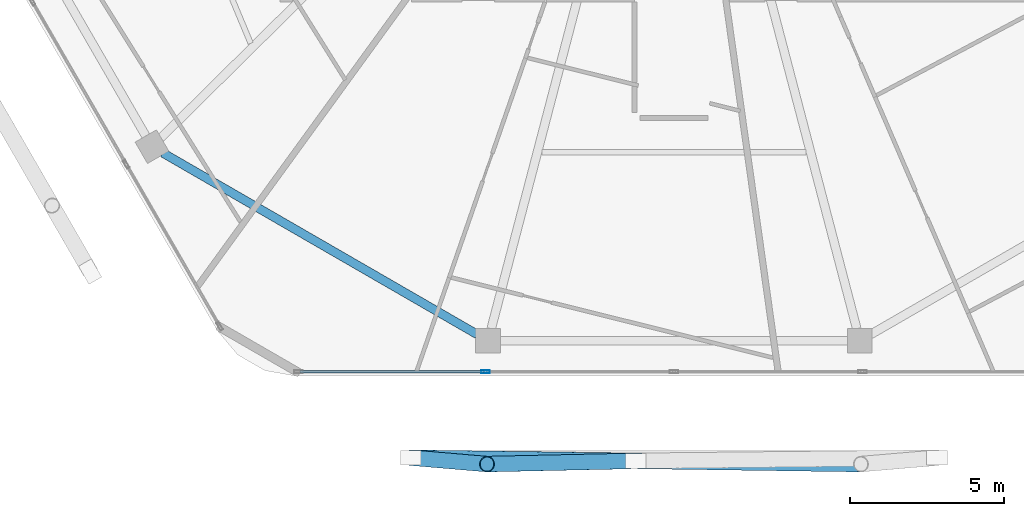
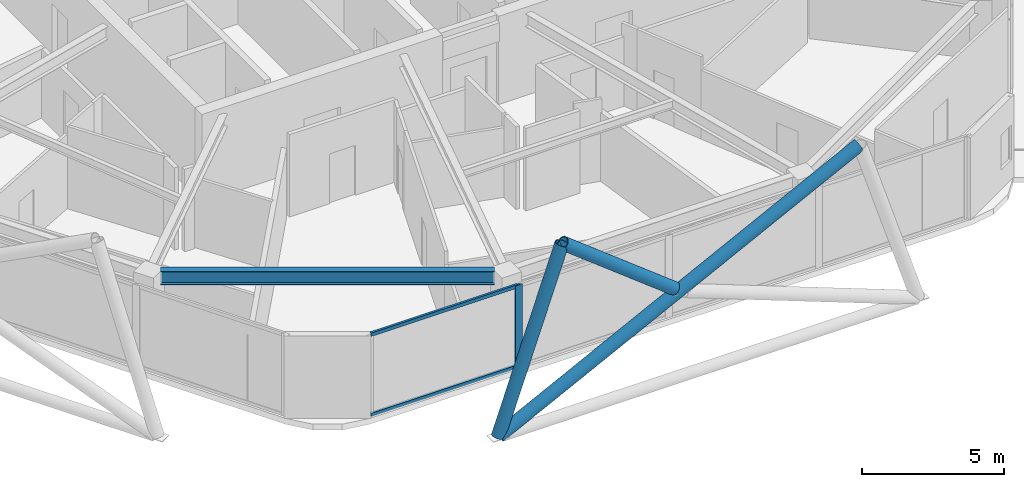
# One storey, part 3 of 23: 6 members, 1 beam, 1 element without a shape of its own.
"""IFC4 building model written with IfcOpenShell, lengths in metres."""

from ifc_helpers import new_model, si_unit, direction, frame, origin, origin_2d, place, context, subcontext, project, spatial, hollow_rectangle, hollow_circle, i_section, extrude, material, material_profile, profile_set, type_object, element, aggregate, save


model = new_model("IFC4")

# Units and contexts
model_context = context("Model", 3, precision=1e-05, world=origin(), true_north=direction((0.0, 1.0)))
body_context = subcontext(model_context, "Body", "Model", "MODEL_VIEW")
ifc_project = project(units=[si_unit("LENGTHUNIT", "METRE"), si_unit("AREAUNIT", "SQUARE_METRE"), si_unit("VOLUMEUNIT", "CUBIC_METRE"), si_unit("PLANEANGLEUNIT", "RADIAN"), si_unit("MASSUNIT", "GRAM", prefix="KILO")], contexts=[model_context])

# Site, building, storey
site_placement = place(None, origin())
site = spatial("IfcSite", under=ifc_project, at=site_placement, CompositionType="ELEMENT")
building_placement = place(site_placement, origin())
building = spatial("IfcBuilding", under=site, at=building_placement, Name="Zuhravey Tower", CompositionType="ELEMENT")
storey_placement = place(building_placement, frame((0.0, 0.0, 315.800048828125)))
storey = spatial("IfcBuildingStorey", under=building, at=storey_placement, Name="L80", CompositionType="ELEMENT", Elevation=315.800048828125)

# Curtain wall, members
ifc_material_1 = material(Name="Thermally broken anodised aluminium", Category="aluminium")
curtain_wall_type = type_object("IfcCurtainWallType", Name="Zone 3-4 High-Rise Curtain Wall CW4", PredefinedType="NOTDEFINED", material=ifc_material_1)
curtain_wall_placement = place(storey_placement, origin())
curtain_wall = element("IfcCurtainWall", 1, at=curtain_wall_placement, inside=storey, type_object=curtain_wall_type, Name="L80 CW4 CW-L80-F5-1", PredefinedType="NOTDEFINED")
ifc_material_2 = material(Name="Anodised aluminium", Category="aluminium")
ifc_material_profile_1 = material_profile(ifc_material_2, hollow_rectangle(XDim=0.090087890625, YDim=0.284912109375, WallThickness=0.0048828125, at=origin_2d()), Name="ALU-RHS-90x285x5")
ifc_profile_set_1 = profile_set([ifc_material_profile_1], Name="Anodised aluminium")
member_type_1 = type_object("IfcMemberType", Name="Curtain-Wall Mullion 90x180", PredefinedType="MULLION", material=ifc_profile_set_1)
member_1_placement = place(storey_placement, frame((29.88037109375, 7.92578125, 0.0), z_axis=(0.0, 0.0, 1.0), x_axis=(0.0, -1.0, 0.0)))
member_1 = element("IfcMember", 2, at=member_1_placement, type_object=member_type_1, Name="CW4 mullion 4", PredefinedType="MULLION", context=body_context, shape_type="SweptSolid", body=[
    extrude(hollow_rectangle(XDim=0.090087890625, YDim=0.284912109375, WallThickness=0.0048828125, at=origin_2d()), origin(), (0.0, 0.0, 1.0), 3.550048828125),
])
ifc_material_profile_2 = material_profile(ifc_material_2, hollow_rectangle(XDim=0.090087890625, YDim=0.14990234375, WallThickness=0.0048828125, at=origin_2d()), Name="ALU-RHS-90x150x5")
ifc_profile_set_2 = profile_set([ifc_material_profile_2], Name="Anodised aluminium")
member_type_2 = type_object("IfcMemberType", Name="Curtain-Wall Transom 90x150", PredefinedType="USERDEFINED", material=ifc_profile_set_2)
member_2_placement = place(storey_placement, frame((29.83544921875, 7.92578125, 0.044921875), z_axis=(-1.0, 0.0, 0.0), x_axis=(0.0, -1.0, 0.0)))
member_2 = element("IfcMember", 3, at=member_2_placement, type_object=member_type_2, Name="CW4 transom 4.1", ObjectType="TRANSOM", PredefinedType="USERDEFINED", context=body_context, shape_type="SweptSolid", body=[
    extrude(hollow_rectangle(XDim=0.090087890625, YDim=0.14990234375, WallThickness=0.0048828125, at=origin_2d()), origin(), (0.0, 0.0, 1.0), 5.98486328125),
])
member_3_placement = place(storey_placement, frame((29.83544921875, 7.92578125, 3.5048828125), z_axis=(-1.0, 0.0, 0.0), x_axis=(0.0, -1.0, 0.0)))
member_3 = element("IfcMember", 4, at=member_3_placement, type_object=member_type_2, Name="CW4 transom 4.2", ObjectType="TRANSOM", PredefinedType="USERDEFINED", context=body_context, shape_type="SweptSolid", body=[
    extrude(hollow_rectangle(XDim=0.090087890625, YDim=0.14990234375, WallThickness=0.0048828125, at=origin_2d()), origin(), (0.0, 0.0, 1.0), 5.98486328125),
])
aggregate(curtain_wall, [member_1, member_2, member_3])

# Members
ifc_material_3 = material(Name="Steel SM355", Category="steel")
ifc_material_profile_3 = material_profile(ifc_material_3, hollow_circle(Radius=0.25390625, WallThickness=0.02490234375, at=origin_2d()), Name="CHS-508.0x25")
ifc_profile_set_3 = profile_set([ifc_material_profile_3], Name="Steel SM355")
member_type_3 = type_object("IfcMemberType", Name="Exoskeleton Zone 4 Diagrid CHS508x25", PredefinedType="BRACE", material=ifc_profile_set_3)
member_4_placement = place(storey_placement, frame((27.455810546875, 5.135498046875, -0.447998046875), z_axis=(0.310355699523, -0.026271714193, 0.950257405552), x_axis=(0.084348667533, 0.996436301168, 0.0)))
element("IfcMember", 5, at=member_4_placement, inside=storey, type_object=member_type_3, Name="L80 Face 5 Diagrid Brace 1", PredefinedType="BRACE", context=body_context, shape_type="SweptSolid", body=[
    extrude(hollow_circle(Radius=0.25390625, WallThickness=0.02490234375, at=origin_2d()), origin(), (0.0, 0.0, 1.0), 7.964111328125),
])
member_5_placement = place(storey_placement, frame((27.481201171875, 5.135498046875, -0.447998046875), z_axis=(0.88716828534, -0.012752699987, 0.461269771532), x_axis=(0.014373127241, 0.999896701271, 0.0)))
element("IfcMember", 6, at=member_5_placement, inside=storey, type_object=member_type_3, Name="L80 Face 5 Diagrid Brace 2", PredefinedType="BRACE", context=body_context, shape_type="SweptSolid", body=[
    extrude(hollow_circle(Radius=0.25390625, WallThickness=0.02490234375, at=origin_2d()), origin(), (0.0, 0.0, 1.0), 16.406494140625),
])
member_6_placement = place(storey_placement, frame((34.567138671875, 5.026611328125, 3.48681640625), z_axis=(-0.785560574961, -0.0170674493, 0.618549339375), x_axis=(0.021721332534, -0.999764064024, 0.0)))
element("IfcMember", 7, at=member_6_placement, inside=storey, type_object=member_type_3, Name="L80 Face 5 Split Diagrid Brace 3B", PredefinedType="BRACE", context=body_context, shape_type="SweptSolid", body=[
    extrude(hollow_circle(Radius=0.25390625, WallThickness=0.02490234375, at=origin_2d()), origin(), (0.0, 0.0, 1.0), 5.86474609375),
])

# Beam
ifc_material_profile_4 = material_profile(ifc_material_3, i_section(OverallWidth=0.280029296875, OverallDepth=0.580078125, WebThickness=0.011962890625, FlangeThickness=0.01904296875, at=origin_2d()), Name="H-580x280x12x19")
ifc_profile_set_4 = profile_set([ifc_material_profile_4], Name="Steel SM355")
beam_type = type_object("IfcBeamType", Name="Perimeter Ring Beam H580x280", PredefinedType="BEAM", material=ifc_profile_set_4)
beam_placement = place(storey_placement, frame((19.394287109375, 15.036865234375, 3.260009765625), z_axis=(0.866023977509, -0.500002470373, 0.0), x_axis=(0.500002470373, 0.866023977509, 0.0)))
element("IfcBeam", 8, at=beam_placement, inside=storey, type_object=beam_type, Name="L80 PB4 BM-L80-PB-08", PredefinedType="BEAM", context=body_context, shape_type="SweptSolid", body=[
    extrude(i_section(OverallWidth=0.280029296875, OverallDepth=0.580078125, WebThickness=0.011962890625, FlangeThickness=0.01904296875, at=origin_2d()), origin(), (0.0, 0.0, 1.0), 11.798828125),
])

save(model, "model.ifc")
